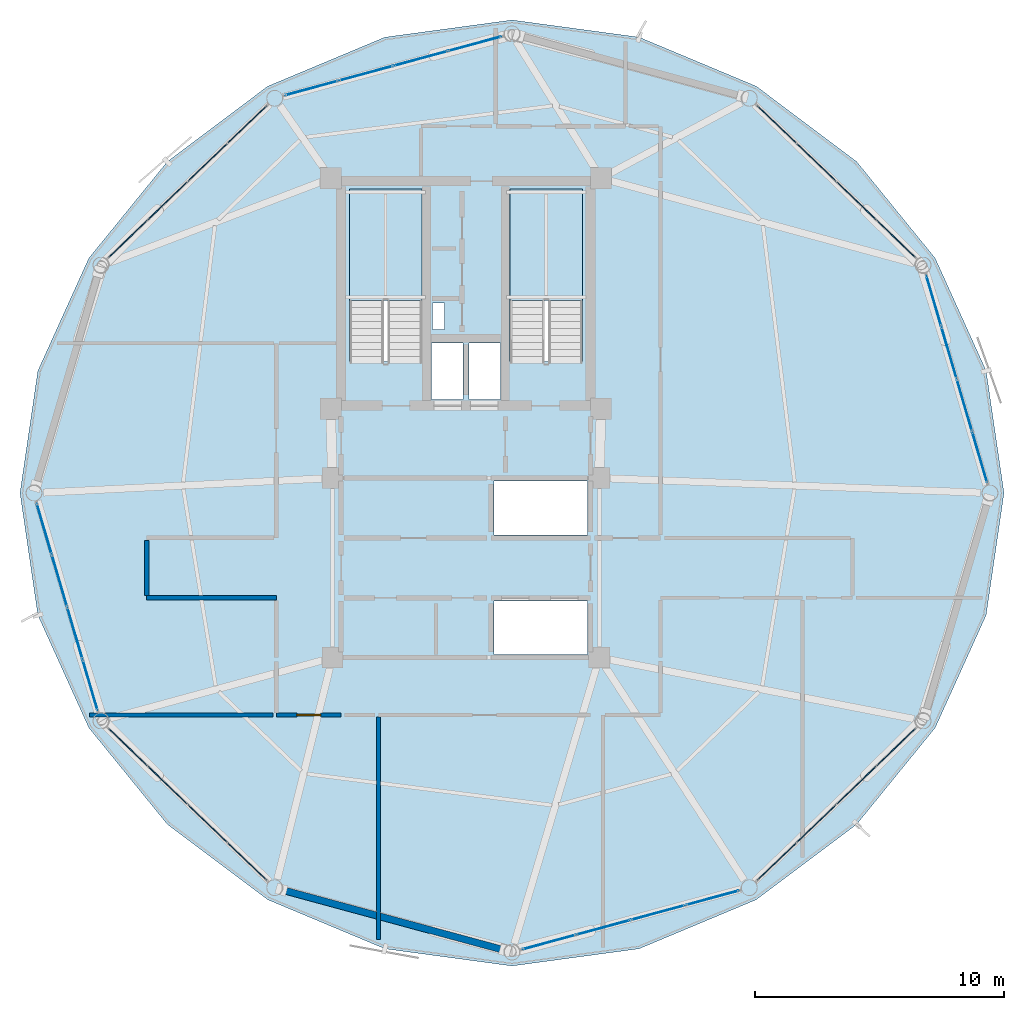
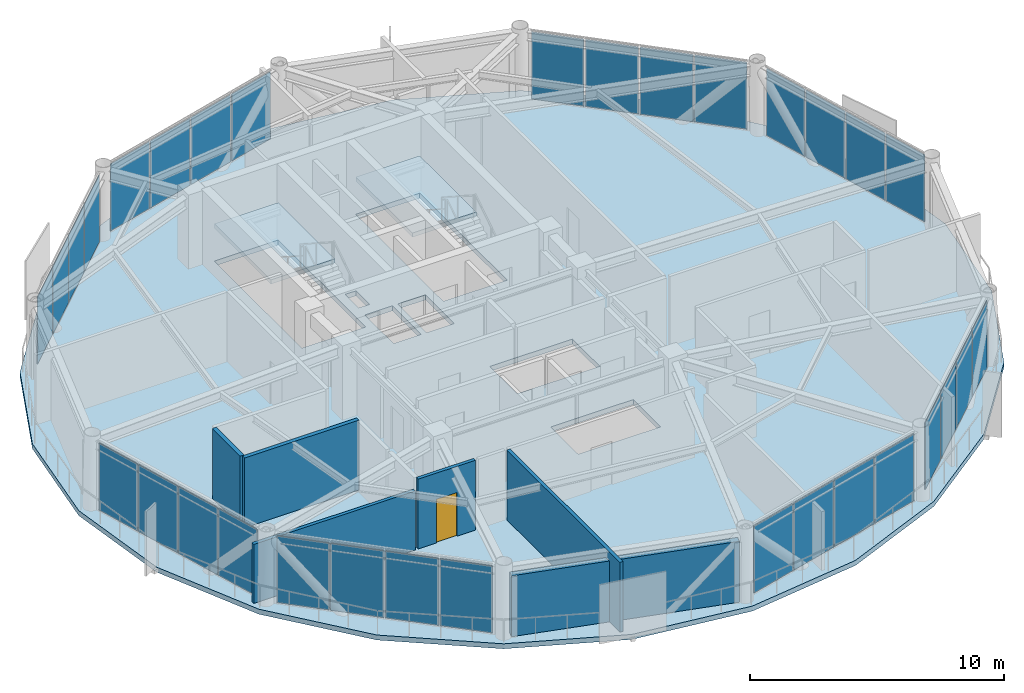
# One storey, part 22 of 28: 32 plates, 6 walls, 3 slabs, 1 door, 1 opening, 10 elements without a shape of their own.
"""IFC4 building model written with IfcOpenShell, lengths in metres."""

from ifc_helpers import new_model, si_unit, direction, frame, frame_2d, origin, origin_2d, place, context, subcontext, project, spatial, polyline, rectangle, outline, extrude, source, transform, mapped, material, layer, layer_set, type_object, type_shapes, element, fill, aggregate, save


model = new_model("IFC4")

# Units and contexts
model_context = context("Model", 3, precision=1e-05, world=origin(), true_north=direction((0.0, 1.0)))
body_context = subcontext(model_context, "Body", "Model", "MODEL_VIEW")
ifc_project = project(units=[si_unit("LENGTHUNIT", "METRE"), si_unit("AREAUNIT", "SQUARE_METRE"), si_unit("VOLUMEUNIT", "CUBIC_METRE"), si_unit("PLANEANGLEUNIT", "RADIAN"), si_unit("MASSUNIT", "GRAM", prefix="KILO")], contexts=[model_context])

# Site, building, storey
site_placement = place(None, origin())
site = spatial("IfcSite", under=ifc_project, at=site_placement, CompositionType="ELEMENT")
building_placement = place(site_placement, origin())
building = spatial("IfcBuilding", under=site, at=building_placement, Name="Varnakorn Sky Granary", CompositionType="ELEMENT")
storey_placement = place(building_placement, frame((0.0, 0.0, 211.199951171875)))
storey = spatial("IfcBuildingStorey", under=building, at=storey_placement, Name="L53", CompositionType="ELEMENT", Elevation=211.199951171875)

# Stair, slab
ifc_material_1 = material(Name="Concrete C40/50", Category="concrete")
stair_type = type_object("IfcStairType", Name="ST-MAIN-ASSEMBLY", PredefinedType="HALF_TURN_STAIR", material=ifc_material_1)
stair_1_placement = place(storey_placement, origin())
stair_1 = element("IfcStair", 1, at=stair_1_placement, inside=storey, type_object=stair_type, Name="L53 Protected Exit Stair ST-1", PredefinedType="HALF_TURN_STAIR")
ifc_layer_1 = layer(ifc_material_1, 0.199951171875, Name="Concrete C40/50")
ifc_layer_set_1 = layer_set([ifc_layer_1], Name="Concrete C40/50")
slab_type_1 = type_object("IfcSlabType", Name="ST-MAIN-LAND", PredefinedType="LANDING", material=ifc_layer_set_1)
slab_1_placement = place(storey_placement, frame((0.0, 0.0, 1.60009765625)))
slab_1 = element("IfcSlab", 2, at=slab_1_placement, type_object=slab_type_1, Name="ST-1 landing 1", PredefinedType="LANDING", context=body_context, shape_type="SweptSolid", body=[
    extrude(outline(polyline([(1.239990234375, 7.719970703125), (1.239990234375, 12.179931640625), (-1.669921875, 12.179931640625), (-1.669921875, 7.719970703125), (1.239990234375, 7.719970703125)])), origin(), (0.0, 0.0, 1.0), 0.199951171875),
])
aggregate(stair_1, [slab_1])

stair_2_placement = place(storey_placement, origin())
stair_2 = element("IfcStair", 3, at=stair_2_placement, inside=storey, type_object=stair_type, Name="L53 Protected Exit Stair ST-2", PredefinedType="HALF_TURN_STAIR")
slab_2_placement = place(storey_placement, frame((0.0, 0.0, 1.60009765625)))
slab_2 = element("IfcSlab", 4, at=slab_2_placement, type_object=slab_type_1, Name="ST-2 landing 1", PredefinedType="LANDING", context=body_context, shape_type="SweptSolid", body=[
    extrude(outline(polyline([(7.679931640625, 7.719970703125), (7.679931640625, 12.179931640625), (4.77001953125, 12.179931640625), (4.77001953125, 7.719970703125), (7.679931640625, 7.719970703125)])), origin(), (0.0, 0.0, 1.0), 0.199951171875),
])
aggregate(stair_2, [slab_2])

# Slab
ifc_material_2 = material(Name="Concrete C50/60", Category="concrete")
ifc_layer_2 = layer(ifc_material_2, 0.239990234375, Name="Concrete C50/60")
ifc_layer_set_2 = layer_set([ifc_layer_2], Name="Concrete C50/60")
slab_type_2 = type_object("IfcSlabType", Name="ST-SL-TWR-240", PredefinedType="FLOOR", material=ifc_layer_set_2)
slab_3_placement = place(storey_placement, frame((0.0, 0.0, -0.239990234375)))
element("IfcSlab", 5, at=slab_3_placement, inside=storey, type_object=slab_type_2, Name="Level L53 Structural Floor Slab", PredefinedType="FLOOR", context=body_context, shape_type="SweptSolid", body=[
    extrude(outline(polyline([(24.572998046875, 0.0), (23.857421875, 4.895751953125), (21.813720703125, 9.4130859375), (18.6689453125, 13.2802734375), (14.64404296875, 16.3037109375), (9.943115234375, 18.271484375), (4.85009765625, 18.9609375), (-0.242919921875, 18.271484375), (-4.944091796875, 16.3037109375), (-8.968994140625, 13.2802734375), (-12.11376953125, 9.4130859375), (-14.157470703125, 4.895751953125), (-14.873046875, 0.0), (-14.157470703125, -4.895751953125), (-12.11376953125, -9.4130859375), (-8.968994140625, -13.2802734375), (-4.944091796875, -16.3037109375), (-0.242919921875, -18.271484375), (4.85009765625, -18.9609375), (9.943115234375, -18.271484375), (14.64404296875, -16.3037109375), (18.6689453125, -13.2802734375), (21.813720703125, -9.4130859375), (23.857421875, -4.895751953125), (24.572998046875, 0.0)]), holes=[polyline([(1.239990234375, 5.27490234375), (1.239990234375, 12.179931640625), (-1.669921875, 12.179931640625), (-1.669921875, 5.27490234375), (1.239990234375, 5.27490234375)]), polyline([(7.679931640625, 5.27490234375), (7.679931640625, 12.179931640625), (4.77001953125, 12.179931640625), (4.77001953125, 5.27490234375), (7.679931640625, 5.27490234375)]), polyline([(1.659912109375, 6.550048828125), (2.14990234375, 6.550048828125), (2.14990234375, 7.6201171875), (1.659912109375, 7.6201171875), (1.659912109375, 6.550048828125)]), polyline([(1.6201171875, 3.739990234375), (2.8798828125, 3.739990234375), (2.8798828125, 6.010009765625), (1.6201171875, 6.010009765625), (1.6201171875, 3.739990234375)]), polyline([(3.1201171875, 3.739990234375), (4.3798828125, 3.739990234375), (4.3798828125, 6.010009765625), (3.1201171875, 6.010009765625), (3.1201171875, 3.739990234375)]), polyline([(4.1201171875, -1.679931640625), (7.8798828125, -1.679931640625), (7.8798828125, 0.47998046875), (4.1201171875, 0.47998046875), (4.1201171875, -1.679931640625)]), polyline([(4.1201171875, -6.47998046875), (7.8798828125, -6.47998046875), (7.8798828125, -4.320068359375), (4.1201171875, -4.320068359375), (4.1201171875, -6.47998046875)])]), origin(), (0.0, 0.0, 1.0), 0.239990234375),
])

# Curtain wall, plates
ifc_material_3 = material(Name="Anodised Bronze Aluminium Alloy 6063-T6", Category="aluminium")
ifc_layer_3 = layer(ifc_material_3, 0.169921875, Name="Anodised Bronze Aluminium Alloy 6063-T6")
ifc_layer_set_3 = layer_set([ifc_layer_3], Name="Anodised Bronze Aluminium Alloy 6063-T6")
curtain_wall_type = type_object("IfcCurtainWallType", Name="CW-LAB-1", PredefinedType="USERDEFINED", material=ifc_layer_set_3)
curtain_wall_1_placement = place(storey_placement, origin())
curtain_wall_1 = element("IfcCurtainWall", 6, at=curtain_wall_1_placement, inside=storey, type_object=curtain_wall_type, Name="Unitised Curtain Wall CW5 CW-L53-B01", ObjectType="CURTAIN WALL", PredefinedType="USERDEFINED")
ifc_material_4 = material(Name="Opaque Insulated Aluminium Shadow-Box Unit", Category="aluminium")
ifc_layer_4 = layer(ifc_material_4, 0.033935546875, Name="Opaque Insulated Aluminium Shadow-Box Unit")
ifc_layer_set_4 = layer_set([ifc_layer_4], Name="Opaque Insulated Aluminium Shadow-Box Unit")
plate_type = type_object("IfcPlateType", Name="CW-LAB-1-PNL", PredefinedType="CURTAIN_PANEL")
shared_shape_1 = source(origin(), body_context, "Body", "SweptSolid", [
    extrude(rectangle(XDim=2.088623046875, YDim=0.033935546875, at=origin_2d()), origin(), (0.0, 0.0, 1.0), 3.219970703125),
])
plate_1_placement = place(storey_placement, frame((21.76025390625, 7.699462890625, 0.06982421875), z_axis=(0.0, 0.0, 1.0), x_axis=(0.28196323961, -0.959425208919, 0.0)))
plate_1 = element("IfcPlate", 7, at=plate_1_placement, type_object=plate_type, material=ifc_layer_set_4, Name="CW5 opaque insulated shadow-box unit 1.1", PredefinedType="CURTAIN_PANEL", context=body_context, shape_type="MappedRepresentation", body=[
    mapped(shared_shape_1, transform((0.0, 0.0, 0.0), x_axis=(1.0, 0.0, 0.0), y_axis=(0.0, 1.0, 0.0), z_axis=(0.0, 0.0, 1.0), scale=1.0)),
])
ifc_material_5 = material(Name="Low-E Tinted Laminated Glass", Category="glass")
ifc_layer_5 = layer(ifc_material_5, 0.033935546875, Name="Low-E Tinted Laminated Glass")
ifc_layer_set_5 = layer_set([ifc_layer_5], Name="Low-E Tinted Laminated Glass")
plate_2_placement = place(storey_placement, frame((23.60009765625, 1.4384765625, 0.06982421875), z_axis=(0.0, 0.0, 1.0), x_axis=(0.28196323961, -0.959425208919, 0.0)))
plate_2 = element("IfcPlate", 8, at=plate_2_placement, type_object=plate_type, material=ifc_layer_set_5, Name="CW5 vision glazing unit 4.1", PredefinedType="CURTAIN_PANEL", context=body_context, shape_type="MappedRepresentation", body=[
    mapped(shared_shape_1, transform((0.0, 0.0, 0.0), x_axis=(1.0, 0.0, 0.0), y_axis=(0.0, 1.0, 0.0), z_axis=(0.0, 0.0, 1.0), scale=1.0)),
])

curtain_wall_2_placement = place(storey_placement, origin())
curtain_wall_2 = element("IfcCurtainWall", 9, at=curtain_wall_2_placement, inside=storey, type_object=curtain_wall_type, Name="Unitised Curtain Wall CW5 CW-L53-B07", ObjectType="CURTAIN WALL", PredefinedType="USERDEFINED")
plate_3_placement = place(storey_placement, frame((-12.060302734375, -7.699462890625, 0.06982421875), z_axis=(0.0, 0.0, 1.0), x_axis=(-0.28196323961, 0.959425208919, 0.0)))
plate_3 = element("IfcPlate", 10, at=plate_3_placement, type_object=plate_type, material=ifc_layer_set_4, Name="CW5 opaque insulated shadow-box unit 1.1", PredefinedType="CURTAIN_PANEL", context=body_context, shape_type="MappedRepresentation", body=[
    mapped(shared_shape_1, transform((0.0, 0.0, 0.0), x_axis=(1.0, 0.0, 0.0), y_axis=(0.0, 1.0, 0.0), z_axis=(0.0, 0.0, 1.0), scale=1.0)),
])
plate_4_placement = place(storey_placement, frame((-13.900146484375, -1.4384765625, 0.06982421875), z_axis=(0.0, 0.0, 1.0), x_axis=(-0.28196323961, 0.959425208919, 0.0)))
plate_4 = element("IfcPlate", 11, at=plate_4_placement, type_object=plate_type, material=ifc_layer_set_5, Name="CW5 vision glazing unit 4.1", PredefinedType="CURTAIN_PANEL", context=body_context, shape_type="MappedRepresentation", body=[
    mapped(shared_shape_1, transform((0.0, 0.0, 0.0), x_axis=(1.0, 0.0, 0.0), y_axis=(0.0, 1.0, 0.0), z_axis=(0.0, 0.0, 1.0), scale=1.0)),
])

# Plate
shared_shape_2 = source(origin(), body_context, "Body", "SweptSolid", [
    extrude(rectangle(XDim=2.12109375, YDim=0.033935546875, at=origin_2d()), origin(), (0.0, 0.0, 1.0), 3.219970703125),
])
plate_5_placement = place(storey_placement, frame((22.3720703125, 5.61767578125, 0.06982421875), z_axis=(0.0, 0.0, 1.0), x_axis=(0.28196323961, -0.959425208919, 0.0)))
plate_5 = element("IfcPlate", 12, at=plate_5_placement, type_object=plate_type, material=ifc_layer_set_4, Name="CW5 opaque insulated shadow-box unit 2.1", PredefinedType="CURTAIN_PANEL", context=body_context, shape_type="MappedRepresentation", body=[
    mapped(shared_shape_2, transform((0.0, 0.0, 0.0), x_axis=(1.0, 0.0, 0.0), y_axis=(0.0, 1.0, 0.0), z_axis=(0.0, 0.0, 1.0), scale=1.0)),
])

plate_6_placement = place(storey_placement, frame((22.98828125, 3.520263671875, 0.06982421875), z_axis=(0.0, 0.0, 1.0), x_axis=(0.28196323961, -0.959425208919, 0.0)))
plate_6 = element("IfcPlate", 13, at=plate_6_placement, type_object=plate_type, material=ifc_layer_set_5, Name="CW5 vision glazing unit 3.1", PredefinedType="CURTAIN_PANEL", context=body_context, shape_type="MappedRepresentation", body=[
    mapped(shared_shape_2, transform((0.0, 0.0, 0.0), x_axis=(1.0, 0.0, 0.0), y_axis=(0.0, 1.0, 0.0), z_axis=(0.0, 0.0, 1.0), scale=1.0)),
])

aggregate(curtain_wall_1, [plate_1, plate_5, plate_6, plate_2])

plate_7_placement = place(storey_placement, frame((-12.672119140625, -5.61767578125, 0.06982421875), z_axis=(0.0, 0.0, 1.0), x_axis=(-0.28196323961, 0.959425208919, 0.0)))
plate_7 = element("IfcPlate", 14, at=plate_7_placement, type_object=plate_type, material=ifc_layer_set_4, Name="CW5 opaque insulated shadow-box unit 2.1", PredefinedType="CURTAIN_PANEL", context=body_context, shape_type="MappedRepresentation", body=[
    mapped(shared_shape_2, transform((0.0, 0.0, 0.0), x_axis=(1.0, 0.0, 0.0), y_axis=(0.0, 1.0, 0.0), z_axis=(0.0, 0.0, 1.0), scale=1.0)),
])

plate_8_placement = place(storey_placement, frame((-13.288330078125, -3.520263671875, 0.06982421875), z_axis=(0.0, 0.0, 1.0), x_axis=(-0.28196323961, 0.959425208919, 0.0)))
plate_8 = element("IfcPlate", 15, at=plate_8_placement, type_object=plate_type, material=ifc_layer_set_5, Name="CW5 vision glazing unit 3.1", PredefinedType="CURTAIN_PANEL", context=body_context, shape_type="MappedRepresentation", body=[
    mapped(shared_shape_2, transform((0.0, 0.0, 0.0), x_axis=(1.0, 0.0, 0.0), y_axis=(0.0, 1.0, 0.0), z_axis=(0.0, 0.0, 1.0), scale=1.0)),
])

aggregate(curtain_wall_2, [plate_3, plate_7, plate_8, plate_4])

# Curtain wall, plates
curtain_wall_3_placement = place(storey_placement, origin())
curtain_wall_3 = element("IfcCurtainWall", 16, at=curtain_wall_3_placement, inside=storey, type_object=curtain_wall_type, Name="Unitised Curtain Wall CW5 CW-L53-B02", ObjectType="CURTAIN WALL", PredefinedType="USERDEFINED")
shared_shape_3 = source(origin(), body_context, "Body", "SweptSolid", [
    extrude(rectangle(XDim=2.122314453125, YDim=0.033935546875, at=origin_2d()), origin(), (0.0, 0.0, 1.0), 3.219970703125),
])
plate_9_placement = place(storey_placement, frame((15.462646484375, 14.777587890625, 0.06982421875), z_axis=(0.0, 0.0, 1.0), x_axis=(0.721402398982, -0.692516121649, 0.0)))
plate_9 = element("IfcPlate", 17, at=plate_9_placement, type_object=plate_type, material=ifc_layer_set_5, Name="CW5 vision glazing unit 1.1", PredefinedType="CURTAIN_PANEL", context=body_context, shape_type="MappedRepresentation", body=[
    mapped(shared_shape_3, transform((0.0, 0.0, 0.0), x_axis=(1.0, 0.0, 0.0), y_axis=(0.0, 1.0, 0.0), z_axis=(0.0, 0.0, 1.0), scale=1.0)),
])
plate_10_placement = place(storey_placement, frame((20.24365234375, 10.18798828125, 0.06982421875), z_axis=(0.0, 0.0, 1.0), x_axis=(0.721402398982, -0.692516121649, 0.0)))
plate_10 = element("IfcPlate", 18, at=plate_10_placement, type_object=plate_type, material=ifc_layer_set_4, Name="CW5 opaque insulated shadow-box unit 4.1", PredefinedType="CURTAIN_PANEL", context=body_context, shape_type="MappedRepresentation", body=[
    mapped(shared_shape_3, transform((0.0, 0.0, 0.0), x_axis=(1.0, 0.0, 0.0), y_axis=(0.0, 1.0, 0.0), z_axis=(0.0, 0.0, 1.0), scale=1.0)),
])

curtain_wall_4_placement = place(storey_placement, origin())
curtain_wall_4 = element("IfcCurtainWall", 19, at=curtain_wall_4_placement, inside=storey, type_object=curtain_wall_type, Name="Unitised Curtain Wall CW5 CW-L53-B05", ObjectType="CURTAIN WALL", PredefinedType="USERDEFINED")
plate_11_placement = place(storey_placement, frame((-10.543701171875, 10.18798828125, 0.06982421875), z_axis=(0.0, 0.0, 1.0), x_axis=(0.721402398982, 0.692516121649, 0.0)))
plate_11 = element("IfcPlate", 20, at=plate_11_placement, type_object=plate_type, material=ifc_layer_set_4, Name="CW5 opaque insulated shadow-box unit 1.1", PredefinedType="CURTAIN_PANEL", context=body_context, shape_type="MappedRepresentation", body=[
    mapped(shared_shape_3, transform((0.0, 0.0, 0.0), x_axis=(1.0, 0.0, 0.0), y_axis=(0.0, 1.0, 0.0), z_axis=(0.0, 0.0, 1.0), scale=1.0)),
])
plate_12_placement = place(storey_placement, frame((-5.7626953125, 14.777587890625, 0.06982421875), z_axis=(0.0, 0.0, 1.0), x_axis=(0.721402398982, 0.692516121649, 0.0)))
plate_12 = element("IfcPlate", 21, at=plate_12_placement, type_object=plate_type, material=ifc_layer_set_5, Name="CW5 vision glazing unit 4.1", PredefinedType="CURTAIN_PANEL", context=body_context, shape_type="MappedRepresentation", body=[
    mapped(shared_shape_3, transform((0.0, 0.0, 0.0), x_axis=(1.0, 0.0, 0.0), y_axis=(0.0, 1.0, 0.0), z_axis=(0.0, 0.0, 1.0), scale=1.0)),
])

curtain_wall_5_placement = place(storey_placement, origin())
curtain_wall_5 = element("IfcCurtainWall", 22, at=curtain_wall_5_placement, inside=storey, type_object=curtain_wall_type, Name="Unitised Curtain Wall CW5 CW-L53-B08", ObjectType="CURTAIN WALL", PredefinedType="USERDEFINED")
plate_13_placement = place(storey_placement, frame((-5.7626953125, -14.777587890625, 0.06982421875), z_axis=(0.0, 0.0, 1.0), x_axis=(-0.721402398982, 0.692516121649, 0.0)))
plate_13 = element("IfcPlate", 23, at=plate_13_placement, type_object=plate_type, material=ifc_layer_set_5, Name="CW5 vision glazing unit 1.1", PredefinedType="CURTAIN_PANEL", context=body_context, shape_type="MappedRepresentation", body=[
    mapped(shared_shape_3, transform((0.0, 0.0, 0.0), x_axis=(1.0, 0.0, 0.0), y_axis=(0.0, 1.0, 0.0), z_axis=(0.0, 0.0, 1.0), scale=1.0)),
])
plate_14_placement = place(storey_placement, frame((-10.543701171875, -10.18798828125, 0.06982421875), z_axis=(0.0, 0.0, 1.0), x_axis=(-0.721402398982, 0.692516121649, 0.0)))
plate_14 = element("IfcPlate", 24, at=plate_14_placement, type_object=plate_type, material=ifc_layer_set_4, Name="CW5 opaque insulated shadow-box unit 4.1", PredefinedType="CURTAIN_PANEL", context=body_context, shape_type="MappedRepresentation", body=[
    mapped(shared_shape_3, transform((0.0, 0.0, 0.0), x_axis=(1.0, 0.0, 0.0), y_axis=(0.0, 1.0, 0.0), z_axis=(0.0, 0.0, 1.0), scale=1.0)),
])

curtain_wall_6_placement = place(storey_placement, origin())
curtain_wall_6 = element("IfcCurtainWall", 25, at=curtain_wall_6_placement, inside=storey, type_object=curtain_wall_type, Name="Unitised Curtain Wall CW5 CW-L53-B11", ObjectType="CURTAIN WALL", PredefinedType="USERDEFINED")
plate_15_placement = place(storey_placement, frame((20.24365234375, -10.18798828125, 0.06982421875), z_axis=(0.0, 0.0, 1.0), x_axis=(-0.721402398982, -0.692516121649, 0.0)))
plate_15 = element("IfcPlate", 26, at=plate_15_placement, type_object=plate_type, material=ifc_layer_set_4, Name="CW5 opaque insulated shadow-box unit 1.1", PredefinedType="CURTAIN_PANEL", context=body_context, shape_type="MappedRepresentation", body=[
    mapped(shared_shape_3, transform((0.0, 0.0, 0.0), x_axis=(1.0, 0.0, 0.0), y_axis=(0.0, 1.0, 0.0), z_axis=(0.0, 0.0, 1.0), scale=1.0)),
])
plate_16_placement = place(storey_placement, frame((15.462646484375, -14.777587890625, 0.06982421875), z_axis=(0.0, 0.0, 1.0), x_axis=(-0.721402398982, -0.692516121649, 0.0)))
plate_16 = element("IfcPlate", 27, at=plate_16_placement, type_object=plate_type, material=ifc_layer_set_5, Name="CW5 vision glazing unit 4.1", PredefinedType="CURTAIN_PANEL", context=body_context, shape_type="MappedRepresentation", body=[
    mapped(shared_shape_3, transform((0.0, 0.0, 0.0), x_axis=(1.0, 0.0, 0.0), y_axis=(0.0, 1.0, 0.0), z_axis=(0.0, 0.0, 1.0), scale=1.0)),
])

# Plate
shared_shape_4 = source(origin(), body_context, "Body", "SweptSolid", [
    extrude(rectangle(XDim=2.155029296875, YDim=0.033935546875, at=origin_2d()), origin(), (0.0, 0.0, 1.0), 3.219970703125),
])
plate_17_placement = place(storey_placement, frame((17.052490234375, 13.25146484375, 0.06982421875), z_axis=(0.0, 0.0, 1.0), x_axis=(0.721402398982, -0.692516121649, 0.0)))
plate_17 = element("IfcPlate", 28, at=plate_17_placement, type_object=plate_type, material=ifc_layer_set_5, Name="CW5 vision glazing unit 2.1", PredefinedType="CURTAIN_PANEL", context=body_context, shape_type="MappedRepresentation", body=[
    mapped(shared_shape_4, transform((0.0, 0.0, 0.0), x_axis=(1.0, 0.0, 0.0), y_axis=(0.0, 1.0, 0.0), z_axis=(0.0, 0.0, 1.0), scale=1.0)),
])

plate_18_placement = place(storey_placement, frame((18.65380859375, 11.714111328125, 0.06982421875), z_axis=(0.0, 0.0, 1.0), x_axis=(0.721402398982, -0.692516121649, 0.0)))
plate_18 = element("IfcPlate", 29, at=plate_18_placement, type_object=plate_type, material=ifc_layer_set_4, Name="CW5 opaque insulated shadow-box unit 3.1", PredefinedType="CURTAIN_PANEL", context=body_context, shape_type="MappedRepresentation", body=[
    mapped(shared_shape_4, transform((0.0, 0.0, 0.0), x_axis=(1.0, 0.0, 0.0), y_axis=(0.0, 1.0, 0.0), z_axis=(0.0, 0.0, 1.0), scale=1.0)),
])

aggregate(curtain_wall_3, [plate_9, plate_17, plate_18, plate_10])

plate_19_placement = place(storey_placement, frame((-8.953857421875, 11.714111328125, 0.06982421875), z_axis=(0.0, 0.0, 1.0), x_axis=(0.721402398982, 0.692516121649, 0.0)))
plate_19 = element("IfcPlate", 30, at=plate_19_placement, type_object=plate_type, material=ifc_layer_set_4, Name="CW5 opaque insulated shadow-box unit 2.1", PredefinedType="CURTAIN_PANEL", context=body_context, shape_type="MappedRepresentation", body=[
    mapped(shared_shape_4, transform((0.0, 0.0, 0.0), x_axis=(1.0, 0.0, 0.0), y_axis=(0.0, 1.0, 0.0), z_axis=(0.0, 0.0, 1.0), scale=1.0)),
])

plate_20_placement = place(storey_placement, frame((-7.3525390625, 13.25146484375, 0.06982421875), z_axis=(0.0, 0.0, 1.0), x_axis=(0.721402398982, 0.692516121649, 0.0)))
plate_20 = element("IfcPlate", 31, at=plate_20_placement, type_object=plate_type, material=ifc_layer_set_5, Name="CW5 vision glazing unit 3.1", PredefinedType="CURTAIN_PANEL", context=body_context, shape_type="MappedRepresentation", body=[
    mapped(shared_shape_4, transform((0.0, 0.0, 0.0), x_axis=(1.0, 0.0, 0.0), y_axis=(0.0, 1.0, 0.0), z_axis=(0.0, 0.0, 1.0), scale=1.0)),
])

aggregate(curtain_wall_4, [plate_11, plate_19, plate_20, plate_12])

plate_21_placement = place(storey_placement, frame((-7.3525390625, -13.25146484375, 0.06982421875), z_axis=(0.0, 0.0, 1.0), x_axis=(-0.721402398982, 0.692516121649, 0.0)))
plate_21 = element("IfcPlate", 32, at=plate_21_placement, type_object=plate_type, material=ifc_layer_set_5, Name="CW5 vision glazing unit 2.1", PredefinedType="CURTAIN_PANEL", context=body_context, shape_type="MappedRepresentation", body=[
    mapped(shared_shape_4, transform((0.0, 0.0, 0.0), x_axis=(1.0, 0.0, 0.0), y_axis=(0.0, 1.0, 0.0), z_axis=(0.0, 0.0, 1.0), scale=1.0)),
])

plate_22_placement = place(storey_placement, frame((-8.953857421875, -11.714111328125, 0.06982421875), z_axis=(0.0, 0.0, 1.0), x_axis=(-0.721402398982, 0.692516121649, 0.0)))
plate_22 = element("IfcPlate", 33, at=plate_22_placement, type_object=plate_type, material=ifc_layer_set_4, Name="CW5 opaque insulated shadow-box unit 3.1", PredefinedType="CURTAIN_PANEL", context=body_context, shape_type="MappedRepresentation", body=[
    mapped(shared_shape_4, transform((0.0, 0.0, 0.0), x_axis=(1.0, 0.0, 0.0), y_axis=(0.0, 1.0, 0.0), z_axis=(0.0, 0.0, 1.0), scale=1.0)),
])

aggregate(curtain_wall_5, [plate_13, plate_21, plate_22, plate_14])

plate_23_placement = place(storey_placement, frame((18.65380859375, -11.714111328125, 0.06982421875), z_axis=(0.0, 0.0, 1.0), x_axis=(-0.721402398982, -0.692516121649, 0.0)))
plate_23 = element("IfcPlate", 34, at=plate_23_placement, type_object=plate_type, material=ifc_layer_set_4, Name="CW5 opaque insulated shadow-box unit 2.1", PredefinedType="CURTAIN_PANEL", context=body_context, shape_type="MappedRepresentation", body=[
    mapped(shared_shape_4, transform((0.0, 0.0, 0.0), x_axis=(1.0, 0.0, 0.0), y_axis=(0.0, 1.0, 0.0), z_axis=(0.0, 0.0, 1.0), scale=1.0)),
])

plate_24_placement = place(storey_placement, frame((17.052490234375, -13.25146484375, 0.06982421875), z_axis=(0.0, 0.0, 1.0), x_axis=(-0.721402398982, -0.692516121649, 0.0)))
plate_24 = element("IfcPlate", 35, at=plate_24_placement, type_object=plate_type, material=ifc_layer_set_5, Name="CW5 vision glazing unit 3.1", PredefinedType="CURTAIN_PANEL", context=body_context, shape_type="MappedRepresentation", body=[
    mapped(shared_shape_4, transform((0.0, 0.0, 0.0), x_axis=(1.0, 0.0, 0.0), y_axis=(0.0, 1.0, 0.0), z_axis=(0.0, 0.0, 1.0), scale=1.0)),
])

aggregate(curtain_wall_6, [plate_15, plate_23, plate_24, plate_16])

# Curtain wall, plates
curtain_wall_7_placement = place(storey_placement, origin())
curtain_wall_7 = element("IfcCurtainWall", 36, at=curtain_wall_7_placement, inside=storey, type_object=curtain_wall_type, Name="Unitised Curtain Wall CW5 CW-L53-B04", ObjectType="CURTAIN WALL", PredefinedType="USERDEFINED")
shared_shape_5 = source(origin(), body_context, "Body", "SweptSolid", [
    extrude(rectangle(XDim=2.17333984375, YDim=0.033935546875, at=origin_2d()), origin(), (0.0, 0.0, 1.0), 3.219970703125),
])
plate_25_placement = place(storey_placement, frame((-3.18115234375, 16.2314453125, 0.06982421875), z_axis=(0.0, 0.0, 1.0), x_axis=(0.965089544099, 0.261920163163, 0.0)))
plate_25 = element("IfcPlate", 37, at=plate_25_placement, type_object=plate_type, material=ifc_layer_set_5, Name="CW5 vision glazing unit 1.1", PredefinedType="CURTAIN_PANEL", context=body_context, shape_type="MappedRepresentation", body=[
    mapped(shared_shape_5, transform((0.0, 0.0, 0.0), x_axis=(1.0, 0.0, 0.0), y_axis=(0.0, 1.0, 0.0), z_axis=(0.0, 0.0, 1.0), scale=1.0)),
])
plate_26_placement = place(storey_placement, frame((3.362060546875, 18.007080078125, 0.06982421875), z_axis=(0.0, 0.0, 1.0), x_axis=(0.965089544099, 0.261920163163, 0.0)))
plate_26 = element("IfcPlate", 38, at=plate_26_placement, type_object=plate_type, material=ifc_layer_set_4, Name="CW5 opaque insulated shadow-box unit 4.1", PredefinedType="CURTAIN_PANEL", context=body_context, shape_type="MappedRepresentation", body=[
    mapped(shared_shape_5, transform((0.0, 0.0, 0.0), x_axis=(1.0, 0.0, 0.0), y_axis=(0.0, 1.0, 0.0), z_axis=(0.0, 0.0, 1.0), scale=1.0)),
])

curtain_wall_8_placement = place(storey_placement, origin())
curtain_wall_8 = element("IfcCurtainWall", 39, at=curtain_wall_8_placement, inside=storey, type_object=curtain_wall_type, Name="Unitised Curtain Wall CW5 CW-L53-B10", ObjectType="CURTAIN WALL", PredefinedType="USERDEFINED")
plate_27_placement = place(storey_placement, frame((12.881103515625, -16.2314453125, 0.06982421875), z_axis=(0.0, 0.0, 1.0), x_axis=(-0.965089544099, -0.261920163163, 0.0)))
plate_27 = element("IfcPlate", 40, at=plate_27_placement, type_object=plate_type, material=ifc_layer_set_5, Name="CW5 vision glazing unit 1.1", PredefinedType="CURTAIN_PANEL", context=body_context, shape_type="MappedRepresentation", body=[
    mapped(shared_shape_5, transform((0.0, 0.0, 0.0), x_axis=(1.0, 0.0, 0.0), y_axis=(0.0, 1.0, 0.0), z_axis=(0.0, 0.0, 1.0), scale=1.0)),
])
plate_28_placement = place(storey_placement, frame((6.337890625, -18.007080078125, 0.06982421875), z_axis=(0.0, 0.0, 1.0), x_axis=(-0.965089544099, -0.261920163163, 0.0)))
plate_28 = element("IfcPlate", 41, at=plate_28_placement, type_object=plate_type, material=ifc_layer_set_4, Name="CW5 opaque insulated shadow-box unit 4.1", PredefinedType="CURTAIN_PANEL", context=body_context, shape_type="MappedRepresentation", body=[
    mapped(shared_shape_5, transform((0.0, 0.0, 0.0), x_axis=(1.0, 0.0, 0.0), y_axis=(0.0, 1.0, 0.0), z_axis=(0.0, 0.0, 1.0), scale=1.0)),
])

# Plate
shared_shape_6 = source(origin(), body_context, "Body", "SweptSolid", [
    extrude(rectangle(XDim=2.205810546875, YDim=0.033935546875, at=origin_2d()), origin(), (0.0, 0.0, 1.0), 3.219970703125),
])
type_shapes(plate_type, [shared_shape_1, shared_shape_2, shared_shape_3, shared_shape_4, shared_shape_5, shared_shape_6])
plate_29_placement = place(storey_placement, frame((-1.00537109375, 16.82177734375, 0.06982421875), z_axis=(0.0, 0.0, 1.0), x_axis=(0.965089544099, 0.261920163163, 0.0)))
plate_29 = element("IfcPlate", 42, at=plate_29_placement, type_object=plate_type, material=ifc_layer_set_5, Name="CW5 vision glazing unit 2.1", PredefinedType="CURTAIN_PANEL", context=body_context, shape_type="MappedRepresentation", body=[
    mapped(shared_shape_6, transform((0.0, 0.0, 0.0), x_axis=(1.0, 0.0, 0.0), y_axis=(0.0, 1.0, 0.0), z_axis=(0.0, 0.0, 1.0), scale=1.0)),
])

plate_30_placement = place(storey_placement, frame((1.186279296875, 17.416748046875, 0.06982421875), z_axis=(0.0, 0.0, 1.0), x_axis=(0.965089544099, 0.261920163163, 0.0)))
plate_30 = element("IfcPlate", 43, at=plate_30_placement, type_object=plate_type, material=ifc_layer_set_4, Name="CW5 opaque insulated shadow-box unit 3.1", PredefinedType="CURTAIN_PANEL", context=body_context, shape_type="MappedRepresentation", body=[
    mapped(shared_shape_6, transform((0.0, 0.0, 0.0), x_axis=(1.0, 0.0, 0.0), y_axis=(0.0, 1.0, 0.0), z_axis=(0.0, 0.0, 1.0), scale=1.0)),
])

aggregate(curtain_wall_7, [plate_25, plate_29, plate_30, plate_26])

plate_31_placement = place(storey_placement, frame((10.705322265625, -16.82177734375, 0.06982421875), z_axis=(0.0, 0.0, 1.0), x_axis=(-0.965089544099, -0.261920163163, 0.0)))
plate_31 = element("IfcPlate", 44, at=plate_31_placement, type_object=plate_type, material=ifc_layer_set_5, Name="CW5 vision glazing unit 2.1", PredefinedType="CURTAIN_PANEL", context=body_context, shape_type="MappedRepresentation", body=[
    mapped(shared_shape_6, transform((0.0, 0.0, 0.0), x_axis=(1.0, 0.0, 0.0), y_axis=(0.0, 1.0, 0.0), z_axis=(0.0, 0.0, 1.0), scale=1.0)),
])

plate_32_placement = place(storey_placement, frame((8.513671875, -17.416748046875, 0.06982421875), z_axis=(0.0, 0.0, 1.0), x_axis=(-0.965089544099, -0.261920163163, 0.0)))
plate_32 = element("IfcPlate", 45, at=plate_32_placement, type_object=plate_type, material=ifc_layer_set_4, Name="CW5 opaque insulated shadow-box unit 3.1", PredefinedType="CURTAIN_PANEL", context=body_context, shape_type="MappedRepresentation", body=[
    mapped(shared_shape_6, transform((0.0, 0.0, 0.0), x_axis=(1.0, 0.0, 0.0), y_axis=(0.0, 1.0, 0.0), z_axis=(0.0, 0.0, 1.0), scale=1.0)),
])

aggregate(curtain_wall_8, [plate_27, plate_31, plate_32, plate_28])

# Wall
ifc_material_6 = material(Name="Precast concrete C40/50", Category="concrete")
ifc_layer_6 = layer(ifc_material_6, 0.280029296875, Name="Precast concrete C40/50")
ifc_layer_set_6 = layer_set([ifc_layer_6], Name="Precast concrete C40/50")
wall_type_1 = type_object("IfcWallType", Name="WT-EW-CRN-280", PredefinedType="SOLIDWALL", material=ifc_layer_set_6)
wall_1_placement = place(storey_placement, frame((4.574951171875, -18.33642578125, 0.0), z_axis=(0.0, 0.0, 1.0), x_axis=(-0.965084405361, 0.261939096983, 0.0)))
element("IfcWall", 46, at=wall_1_placement, inside=storey, type_object=wall_type_1, Name="Agritech Insulated Precast Facade Wall L53-P09", PredefinedType="SOLIDWALL", context=body_context, shape_type="SweptSolid", body=[
    extrude(rectangle(XDim=9.29345703125, YDim=0.280029296875, at=frame_2d((4.646728515625, 0.0))), origin(), (0.0, 0.0, 1.0), 2.929931640625),
])

# Wall, opening, door
ifc_material_7 = material(Name="Gypsum Plasterboard on Steel Stud", Category="steel")
ifc_layer_7 = layer(ifc_material_7, 0.14990234375, Name="Gypsum Plasterboard on Steel Stud")
ifc_layer_set_7 = layer_set([ifc_layer_7], Name="Gypsum Plasterboard on Steel Stud")
wall_type_2 = type_object("IfcWallType", Name="WT-PART-150", PredefinedType="PARTITIONING", material=ifc_layer_set_7)
wall_2_placement = place(storey_placement, frame((-4.60009765625, -8.89990234375, 0.0), z_axis=(0.0, 0.0, 1.0), x_axis=(1.0, 0.0, 0.0)))
wall_2 = element("IfcWall", 47, at=wall_2_placement, inside=storey, type_object=wall_type_2, Name="Interior Partition Wall L53-021", PredefinedType="PARTITIONING", context=body_context, shape_type="SweptSolid", body=[
    extrude(rectangle(XDim=2.60009765625, YDim=0.14990234375, at=frame_2d((1.300048828125, 0.0))), origin(), (0.0, 0.0, 1.0), 3.360107421875),
])
opening_placement = place(wall_2_placement, frame((0.824951171875, 0.0, 0.0)))
opening = element("IfcOpeningElement", 48, at=opening_placement, cuts=wall_2, Name="Opening ID-95", PredefinedType="OPENING", context=body_context, shape_type="SweptSolid", body=[
    extrude(rectangle(XDim=0.949951171875, YDim=2.10009765625, at=frame_2d((0.47509765625, 1.050048828125))), frame((0.0, 0.0849609375, 0.0), z_axis=(0.0, -1.0, 0.0), x_axis=(1.0, 0.0, 0.0)), (0.0, 0.0, 1.0), 0.169921875),
])
ifc_material_8 = material(Name="Solid-Core Teak Veneer Leaf", Category="timber")
door_type = type_object("IfcDoorType", Name="DR-INT-950", OperationType="NOTDEFINED", PredefinedType="DOOR", material=ifc_material_8)
door_placement = place(opening_placement, origin())
door = element("IfcDoor", 49, at=door_placement, inside=storey, type_object=door_type, Name="Interior Door L53-021-1", OperationType="SINGLE_SWING_LEFT", OverallHeight=2.10009765625, OverallWidth=0.949951171875, PredefinedType="DOOR", context=body_context, shape_type="SweptSolid", body=[
    extrude(rectangle(XDim=0.949951171875, YDim=2.10009765625, at=frame_2d((0.47509765625, 1.050048828125))), frame((0.0, 0.02490234375, 0.0), z_axis=(0.0, -1.0, 0.0), x_axis=(1.0, 0.0, 0.0)), (0.0, 0.0, 1.0), 0.050048828125),
])
fill(opening, door)

# Walls
wall_3_placement = place(storey_placement, frame((-0.5, -8.985107421875, 0.0), z_axis=(0.0, 0.0, 1.0), x_axis=(0.0, -1.0, 0.0)))
element("IfcWall", 50, at=wall_3_placement, inside=storey, type_object=wall_type_2, Name="Interior Partition Wall L53-036", PredefinedType="PARTITIONING", context=body_context, shape_type="SweptSolid", body=[
    extrude(rectangle(XDim=8.9208984375, YDim=0.14990234375, at=frame_2d((4.46044921875, 0.0))), origin(), (0.0, 0.0, 1.0), 3.360107421875),
])
wall_4_placement = place(storey_placement, frame((-12.083984375, -8.89990234375, 0.0), z_axis=(0.0, 0.0, 1.0), x_axis=(1.0, 0.0, 0.0)))
element("IfcWall", 51, at=wall_4_placement, inside=storey, type_object=wall_type_2, Name="Interior Partition Wall L53-037", PredefinedType="PARTITIONING", context=body_context, shape_type="SweptSolid", body=[
    extrude(rectangle(XDim=7.348876953125, YDim=0.14990234375, at=frame_2d((3.67431640625, 0.0))), origin(), (0.0, 0.0, 1.0), 2.842041015625),
])
ifc_material_9 = material(Name="Moisture-Resistant Gypsum on Stud", Category="gypsum")
ifc_layer_8 = layer(ifc_material_9, 0.179931640625, Name="Moisture-Resistant Gypsum on Stud")
ifc_layer_set_8 = layer_set([ifc_layer_8], Name="Moisture-Resistant Gypsum on Stud")
wall_type_3 = type_object("IfcWallType", Name="WT-PLUMB-180", PredefinedType="PLUMBINGWALL", material=ifc_layer_set_8)
wall_5_placement = place(storey_placement, frame((-9.800048828125, -4.199951171875, 0.0), z_axis=(0.0, 0.0, 1.0), x_axis=(1.0, 0.0, 0.0)))
element("IfcWall", 52, at=wall_5_placement, inside=storey, type_object=wall_type_3, Name="Interior Partition Wall L53-045", PredefinedType="PLUMBINGWALL", context=body_context, shape_type="SweptSolid", body=[
    extrude(rectangle(XDim=5.199951171875, YDim=0.179931640625, at=frame_2d((2.60009765625, 0.0))), origin(), (0.0, 0.0, 1.0), 3.360107421875),
])
wall_6_placement = place(storey_placement, frame((-9.800048828125, -1.89990234375, 0.0), z_axis=(0.0, 0.0, 1.0), x_axis=(0.0, -1.0, 0.0)))
element("IfcWall", 53, at=wall_6_placement, inside=storey, type_object=wall_type_3, Name="Interior Partition Wall L53-046", PredefinedType="PLUMBINGWALL", context=body_context, shape_type="SweptSolid", body=[
    extrude(rectangle(XDim=2.2001953125, YDim=0.179931640625, at=frame_2d((1.10009765625, 0.0))), origin(), (0.0, 0.0, 1.0), 3.360107421875),
])

save(model, "model.ifc")
